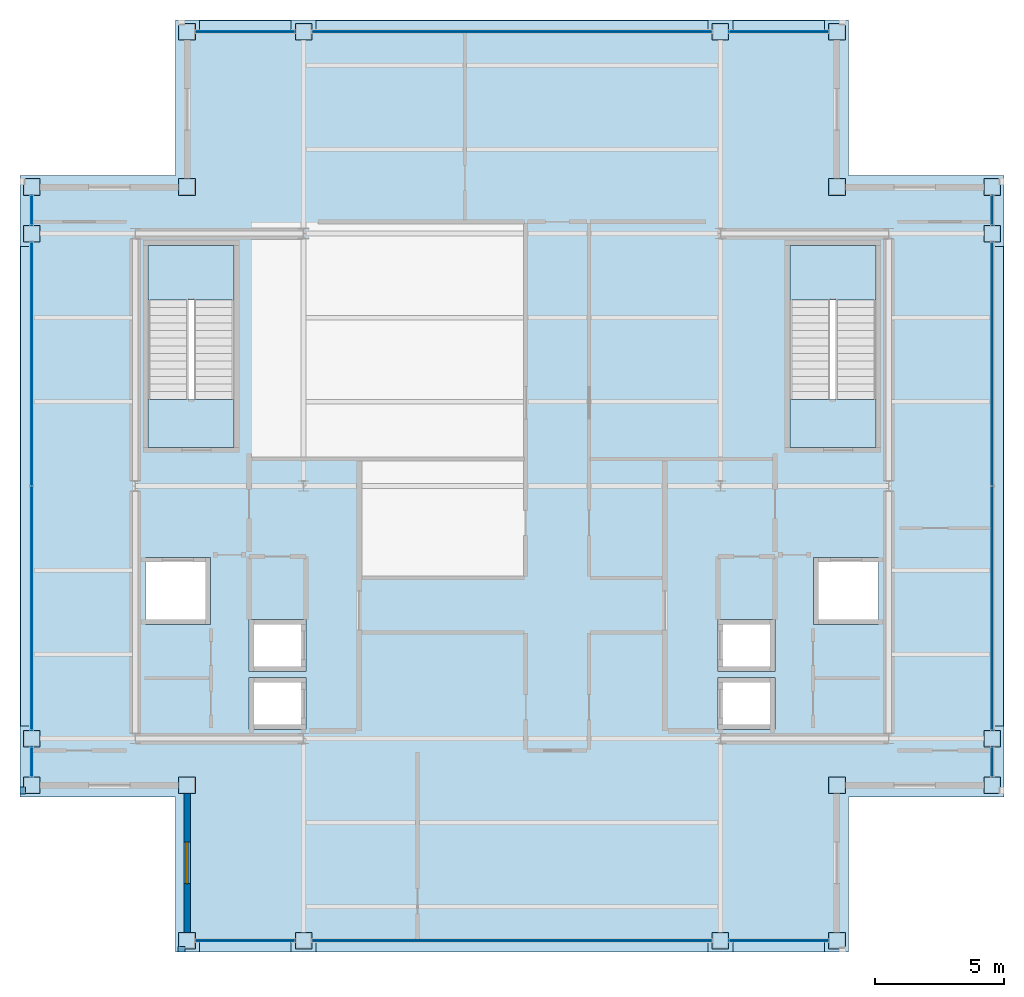
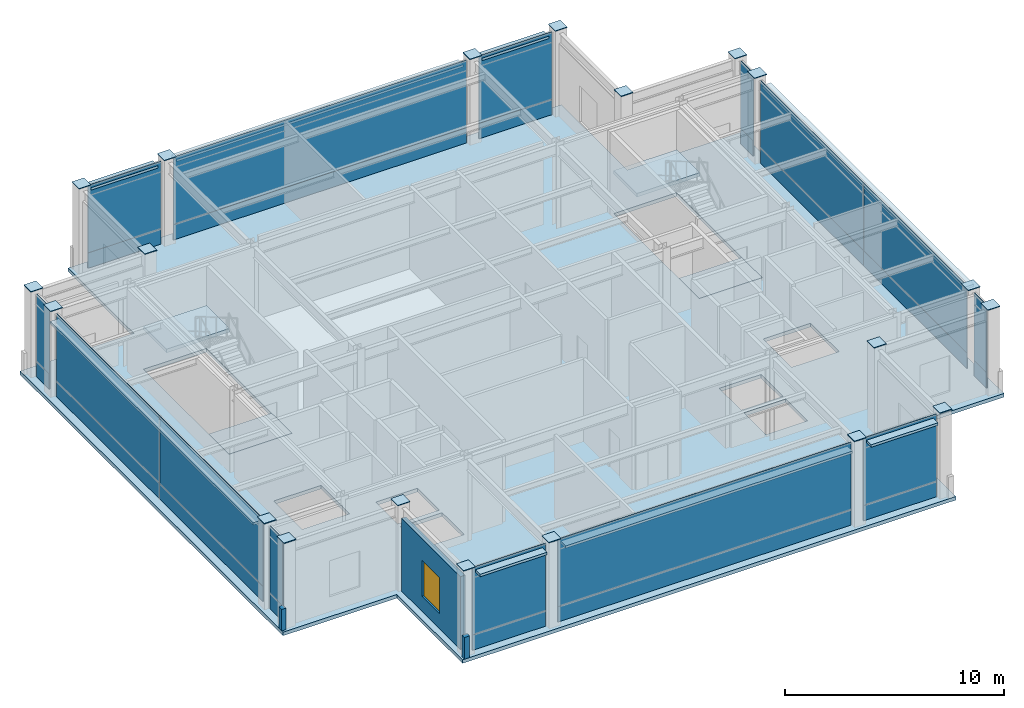
# One storey, part 16 of 21: 56 plates, 5 slabs, 3 walls, 1 window, 1 opening, 14 elements without a shape of their own.
"""IFC4 building model written with IfcOpenShell, lengths in metres."""

from ifc_helpers import new_model, si_unit, direction, frame, frame_2d, origin, origin_2d, place, context, subcontext, project, spatial, polyline, rectangle, outline, extrude, material, layer, layer_set, type_object, element, fill, aggregate, save


model = new_model("IFC4")

# Units and contexts
model_context = context("Model", 3, precision=1e-05, world=origin(), true_north=direction((0.0, 1.0)))
body_context = subcontext(model_context, "Body", "Model", "MODEL_VIEW")
ifc_project = project(units=[si_unit("LENGTHUNIT", "METRE"), si_unit("AREAUNIT", "SQUARE_METRE"), si_unit("VOLUMEUNIT", "CUBIC_METRE"), si_unit("PLANEANGLEUNIT", "RADIAN"), si_unit("MASSUNIT", "GRAM", prefix="KILO")], contexts=[model_context])

# Site, building, storey
site_placement = place(None, origin())
site = spatial("IfcSite", under=ifc_project, at=site_placement, CompositionType="ELEMENT")
building_placement = place(site_placement, origin())
building = spatial("IfcBuilding", under=site, at=building_placement, Name="Brelmoor Portico Tower", CompositionType="ELEMENT")
storey_placement = place(building_placement, frame((0.0, 0.0, 284.39990234375)))
storey = spatial("IfcBuildingStorey", under=building, at=storey_placement, Name="L75", CompositionType="ELEMENT", Elevation=284.39990234375)

# Plates
ifc_material_1 = material(Name="Steel Q355B", Category="steel")
ifc_layer_1 = layer(ifc_material_1, 0.044921875)
ifc_layer_set_1 = layer_set([ifc_layer_1], Name="Steel Q355B")
plate_type_1 = type_object("IfcPlateType", Name="PT-CAP-650", PredefinedType="SHEET", material=ifc_layer_set_1)
for number, where, z_axis, x_axis, name in (
    (1, (-12.550048828125, -17.550048828125, 4.800048828125), (0.0, 0.0, 1.0), (1.0, 0.0, 0.0), "L75 Perimeter Mega-Column PS01 Welded Head Cap Plate"),
    (2, (-8.050048828125, -17.550048828125, 4.800048828125), (0.0, 0.0, 1.0), (1.0, 0.0, 0.0), "L75 Perimeter Mega-Column PS02 Welded Head Cap Plate"),
    (3, (8.050048828125, -17.550048828125, 4.800048828125), (0.0, 0.0, 1.0), (1.0, 0.0, 0.0), "L75 Perimeter Mega-Column PS03 Welded Head Cap Plate"),
    (4, (12.550048828125, -17.550048828125, 4.800048828125), (0.0, 0.0, 1.0), (1.0, 0.0, 0.0), "L75 Perimeter Mega-Column PS04 Welded Head Cap Plate"),
    (5, (-12.550048828125, 17.550048828125, 4.800048828125), (0.0, 0.0, 1.0), (1.0, 0.0, 0.0), "L75 Perimeter Mega-Column PN01 Welded Head Cap Plate"),
    (6, (-8.050048828125, 17.550048828125, 4.800048828125), (0.0, 0.0, 1.0), (1.0, 0.0, 0.0), "L75 Perimeter Mega-Column PN02 Welded Head Cap Plate"),
    (7, (8.050048828125, 17.550048828125, 4.800048828125), (0.0, 0.0, 1.0), (1.0, 0.0, 0.0), "L75 Perimeter Mega-Column PN03 Welded Head Cap Plate"),
    (8, (12.550048828125, 17.550048828125, 4.800048828125), (0.0, 0.0, 1.0), (1.0, 0.0, 0.0), "L75 Perimeter Mega-Column PN04 Welded Head Cap Plate"),
    (9, (-18.550048828125, -11.550048828125, 4.800048828125), (0.0, 0.0, 1.0), (0.0, 1.0, 0.0), "L75 Perimeter Mega-Column PW01 Welded Head Cap Plate"),
    (10, (-18.550048828125, -9.75, 4.800048828125), (0.0, 0.0, 1.0), (0.0, 1.0, 0.0), "L75 Perimeter Mega-Column PW02 Welded Head Cap Plate"),
    (11, (-18.550048828125, 9.75, 4.800048828125), (0.0, 0.0, 1.0), (0.0, 1.0, 0.0), "L75 Perimeter Mega-Column PW03 Welded Head Cap Plate"),
    (12, (-18.550048828125, 11.550048828125, 4.800048828125), (0.0, 0.0, 1.0), (0.0, 1.0, 0.0), "L75 Perimeter Mega-Column PW04 Welded Head Cap Plate"),
    (13, (18.550048828125, -11.550048828125, 4.800048828125), (0.0, 0.0, 1.0), (0.0, 1.0, 0.0), "L75 Perimeter Mega-Column PE01 Welded Head Cap Plate"),
    (14, (18.550048828125, -9.75, 4.800048828125), (0.0, 0.0, 1.0), (0.0, 1.0, 0.0), "L75 Perimeter Mega-Column PE02 Welded Head Cap Plate"),
    (15, (18.550048828125, 9.75, 4.800048828125), (0.0, 0.0, 1.0), (0.0, 1.0, 0.0), "L75 Perimeter Mega-Column PE03 Welded Head Cap Plate"),
    (16, (18.550048828125, 11.550048828125, 4.800048828125), (0.0, 0.0, 1.0), (0.0, 1.0, 0.0), "L75 Perimeter Mega-Column PE04 Welded Head Cap Plate"),
    (17, (-12.550048828125, 11.550048828125, 4.800048828125), (0.0, 0.0, 1.0), (1.0, 0.0, 0.0), "L75 Perimeter Mega-Column PC-NW Welded Head Cap Plate"),
    (18, (12.550048828125, 11.550048828125, 4.800048828125), (0.0, 0.0, 1.0), (1.0, 0.0, 0.0), "L75 Perimeter Mega-Column PC-NE Welded Head Cap Plate"),
    (19, (12.550048828125, -11.550048828125, 4.800048828125), (0.0, 0.0, 1.0), (1.0, 0.0, 0.0), "L75 Perimeter Mega-Column PC-SE Welded Head Cap Plate"),
    (20, (-12.550048828125, -11.550048828125, 4.800048828125), (0.0, 0.0, 1.0), (1.0, 0.0, 0.0), "L75 Perimeter Mega-Column PC-SW Welded Head Cap Plate"),
):
    element("IfcPlate", number, at=place(storey_placement, frame(where, z_axis=z_axis, x_axis=x_axis)), inside=storey, type_object=plate_type_1, Name=name, PredefinedType="SHEET", context=body_context, shape_type="SweptSolid", body=[
        extrude(rectangle(XDim=0.639892578125, YDim=0.639892578125, at=origin_2d()), origin(), (0.0, 0.0, 1.0), 0.0400390625),
    ])

# Curtain wall, plate
ifc_material_2 = material(Name="Anodised Aluminium Alloy 6063-T6", Category="aluminium")
ifc_layer_2 = layer(ifc_material_2, 0.179931640625)
ifc_layer_set_2 = layer_set([ifc_layer_2], Name="Anodised Aluminium Alloy 6063-T6")
curtain_wall_type = type_object("IfcCurtainWallType", Name="CW-TOWER-Z4", PredefinedType="NOTDEFINED", material=ifc_layer_set_2)
curtain_wall_1_placement = place(storey_placement, origin())
curtain_wall_1 = element("IfcCurtainWall", 21, at=curtain_wall_1_placement, inside=storey, type_object=curtain_wall_type, Name="L75 Curtain Wall CW-L75-01-1", PredefinedType="NOTDEFINED")
ifc_material_3 = material(Name="Double-Silver Low-E Insulated Glazing", Category="glass")
ifc_layer_3 = layer(ifc_material_3, 0.035888671875)
ifc_layer_set_3 = layer_set([ifc_layer_3], Name="Double-Silver Low-E Insulated Glazing")
plate_type_2 = type_object("IfcPlateType", Name="PT-CW-GLASS", PredefinedType="CURTAIN_PANEL", material=ifc_layer_set_3)
plate_1_placement = place(storey_placement, frame((-10.300048828125, -17.550048828125, 0.85009765625), z_axis=(0.0, 0.0, 1.0), x_axis=(1.0, 0.0, 0.0)))
plate_1 = element("IfcPlate", 22, at=plate_1_placement, type_object=plate_type_2, Name="CW-L75-01-1 Vision Glass Panel 00", PredefinedType="CURTAIN_PANEL", context=body_context, shape_type="SweptSolid", body=[
    extrude(rectangle(XDim=3.85009765625, YDim=0.035888671875, at=origin_2d()), origin(), (0.0, 0.0, 1.0), 3.75),
])

curtain_wall_2_placement = place(storey_placement, origin())
curtain_wall_2 = element("IfcCurtainWall", 23, at=curtain_wall_2_placement, inside=storey, type_object=curtain_wall_type, Name="L75 Curtain Wall CW-L75-01-2", PredefinedType="NOTDEFINED")
plate_2_placement = place(storey_placement, frame((0.0, -17.550048828125, 0.85009765625), z_axis=(0.0, 0.0, 1.0), x_axis=(1.0, 0.0, 0.0)))
plate_2 = element("IfcPlate", 24, at=plate_2_placement, type_object=plate_type_2, Name="CW-L75-01-2 Vision Glass Panel 00", PredefinedType="CURTAIN_PANEL", context=body_context, shape_type="SweptSolid", body=[
    extrude(rectangle(XDim=15.449951171875, YDim=0.035888671875, at=origin_2d()), origin(), (0.0, 0.0, 1.0), 3.75),
])

curtain_wall_3_placement = place(storey_placement, origin())
curtain_wall_3 = element("IfcCurtainWall", 25, at=curtain_wall_3_placement, inside=storey, type_object=curtain_wall_type, Name="L75 Curtain Wall CW-L75-01-3", PredefinedType="NOTDEFINED")
plate_3_placement = place(storey_placement, frame((10.300048828125, -17.550048828125, 0.85009765625), z_axis=(0.0, 0.0, 1.0), x_axis=(1.0, 0.0, 0.0)))
plate_3 = element("IfcPlate", 26, at=plate_3_placement, type_object=plate_type_2, Name="CW-L75-01-3 Vision Glass Panel 00", PredefinedType="CURTAIN_PANEL", context=body_context, shape_type="SweptSolid", body=[
    extrude(rectangle(XDim=3.85009765625, YDim=0.035888671875, at=origin_2d()), origin(), (0.0, 0.0, 1.0), 3.75),
])

curtain_wall_4_placement = place(storey_placement, origin())
curtain_wall_4 = element("IfcCurtainWall", 27, at=curtain_wall_4_placement, inside=storey, type_object=curtain_wall_type, Name="L75 Curtain Wall CW-L75-02-1", PredefinedType="NOTDEFINED")
plate_4_placement = place(storey_placement, frame((-10.300048828125, 17.550048828125, 0.85009765625), z_axis=(0.0, 0.0, 1.0), x_axis=(1.0, 0.0, 0.0)))
plate_4 = element("IfcPlate", 28, at=plate_4_placement, type_object=plate_type_2, Name="CW-L75-02-1 Vision Glass Panel 00", PredefinedType="CURTAIN_PANEL", context=body_context, shape_type="SweptSolid", body=[
    extrude(rectangle(XDim=3.85009765625, YDim=0.035888671875, at=origin_2d()), origin(), (0.0, 0.0, 1.0), 3.75),
])

curtain_wall_5_placement = place(storey_placement, origin())
curtain_wall_5 = element("IfcCurtainWall", 29, at=curtain_wall_5_placement, inside=storey, type_object=curtain_wall_type, Name="L75 Curtain Wall CW-L75-02-2", PredefinedType="NOTDEFINED")
plate_5_placement = place(storey_placement, frame((0.0, 17.550048828125, 0.85009765625), z_axis=(0.0, 0.0, 1.0), x_axis=(1.0, 0.0, 0.0)))
plate_5 = element("IfcPlate", 30, at=plate_5_placement, type_object=plate_type_2, Name="CW-L75-02-2 Vision Glass Panel 00", PredefinedType="CURTAIN_PANEL", context=body_context, shape_type="SweptSolid", body=[
    extrude(rectangle(XDim=15.449951171875, YDim=0.035888671875, at=origin_2d()), origin(), (0.0, 0.0, 1.0), 3.75),
])

curtain_wall_6_placement = place(storey_placement, origin())
curtain_wall_6 = element("IfcCurtainWall", 31, at=curtain_wall_6_placement, inside=storey, type_object=curtain_wall_type, Name="L75 Curtain Wall CW-L75-02-3", PredefinedType="NOTDEFINED")
plate_6_placement = place(storey_placement, frame((10.300048828125, 17.550048828125, 0.85009765625), z_axis=(0.0, 0.0, 1.0), x_axis=(1.0, 0.0, 0.0)))
plate_6 = element("IfcPlate", 32, at=plate_6_placement, type_object=plate_type_2, Name="CW-L75-02-3 Vision Glass Panel 00", PredefinedType="CURTAIN_PANEL", context=body_context, shape_type="SweptSolid", body=[
    extrude(rectangle(XDim=3.85009765625, YDim=0.035888671875, at=origin_2d()), origin(), (0.0, 0.0, 1.0), 3.75),
])

curtain_wall_7_placement = place(storey_placement, origin())
curtain_wall_7 = element("IfcCurtainWall", 33, at=curtain_wall_7_placement, inside=storey, type_object=curtain_wall_type, Name="L75 Curtain Wall CW-L75-03-1", PredefinedType="NOTDEFINED")
plate_7_placement = place(storey_placement, frame((-18.550048828125, -10.64990234375, 0.85009765625), z_axis=(0.0, 0.0, 1.0), x_axis=(0.0, 1.0, 0.0)))
plate_7 = element("IfcPlate", 34, at=plate_7_placement, type_object=plate_type_2, Name="CW-L75-03-1 Vision Glass Panel 00", PredefinedType="CURTAIN_PANEL", context=body_context, shape_type="SweptSolid", body=[
    extrude(rectangle(XDim=1.14990234375, YDim=0.035888671875, at=origin_2d()), origin(), (0.0, 0.0, 1.0), 3.75),
])

# Curtain wall, plates
curtain_wall_8_placement = place(storey_placement, origin())
curtain_wall_8 = element("IfcCurtainWall", 35, at=curtain_wall_8_placement, inside=storey, type_object=curtain_wall_type, Name="L75 Curtain Wall CW-L75-03-2", PredefinedType="NOTDEFINED")
plate_8_placement = place(storey_placement, frame((-18.550048828125, -4.719970703125, 0.85009765625), z_axis=(0.0, 0.0, 1.0), x_axis=(0.0, 1.0, 0.0)))
plate_8 = element("IfcPlate", 36, at=plate_8_placement, type_object=plate_type_2, Name="CW-L75-03-2 Vision Glass Panel 00", PredefinedType="CURTAIN_PANEL", context=body_context, shape_type="SweptSolid", body=[
    extrude(rectangle(XDim=9.409912109375, YDim=0.035888671875, at=origin_2d()), origin(), (0.0, 0.0, 1.0), 3.75),
])
plate_9_placement = place(storey_placement, frame((-18.550048828125, 4.719970703125, 0.85009765625), z_axis=(0.0, 0.0, 1.0), x_axis=(0.0, 1.0, 0.0)))
plate_9 = element("IfcPlate", 37, at=plate_9_placement, type_object=plate_type_2, Name="CW-L75-03-2 Vision Glass Panel 01", PredefinedType="CURTAIN_PANEL", context=body_context, shape_type="SweptSolid", body=[
    extrude(rectangle(XDim=9.409912109375, YDim=0.035888671875, at=origin_2d()), origin(), (0.0, 0.0, 1.0), 3.75),
])

# Curtain wall, plate
curtain_wall_9_placement = place(storey_placement, origin())
curtain_wall_9 = element("IfcCurtainWall", 38, at=curtain_wall_9_placement, inside=storey, type_object=curtain_wall_type, Name="L75 Curtain Wall CW-L75-03-3", PredefinedType="NOTDEFINED")
plate_10_placement = place(storey_placement, frame((-18.550048828125, 10.64990234375, 0.85009765625), z_axis=(0.0, 0.0, 1.0), x_axis=(0.0, 1.0, 0.0)))
plate_10 = element("IfcPlate", 39, at=plate_10_placement, type_object=plate_type_2, Name="CW-L75-03-3 Vision Glass Panel 00", PredefinedType="CURTAIN_PANEL", context=body_context, shape_type="SweptSolid", body=[
    extrude(rectangle(XDim=1.14990234375, YDim=0.035888671875, at=origin_2d()), origin(), (0.0, 0.0, 1.0), 3.75),
])

curtain_wall_10_placement = place(storey_placement, origin())
curtain_wall_10 = element("IfcCurtainWall", 40, at=curtain_wall_10_placement, inside=storey, type_object=curtain_wall_type, Name="L75 Curtain Wall CW-L75-04-1", PredefinedType="NOTDEFINED")
plate_11_placement = place(storey_placement, frame((18.550048828125, -10.64990234375, 0.85009765625), z_axis=(0.0, 0.0, 1.0), x_axis=(0.0, 1.0, 0.0)))
plate_11 = element("IfcPlate", 41, at=plate_11_placement, type_object=plate_type_2, Name="CW-L75-04-1 Vision Glass Panel 00", PredefinedType="CURTAIN_PANEL", context=body_context, shape_type="SweptSolid", body=[
    extrude(rectangle(XDim=1.14990234375, YDim=0.035888671875, at=origin_2d()), origin(), (0.0, 0.0, 1.0), 3.75),
])

# Curtain wall, plates
curtain_wall_11_placement = place(storey_placement, origin())
curtain_wall_11 = element("IfcCurtainWall", 42, at=curtain_wall_11_placement, inside=storey, type_object=curtain_wall_type, Name="L75 Curtain Wall CW-L75-04-2", PredefinedType="NOTDEFINED")
plate_12_placement = place(storey_placement, frame((18.550048828125, -4.719970703125, 0.85009765625), z_axis=(0.0, 0.0, 1.0), x_axis=(0.0, 1.0, 0.0)))
plate_12 = element("IfcPlate", 43, at=plate_12_placement, type_object=plate_type_2, Name="CW-L75-04-2 Vision Glass Panel 00", PredefinedType="CURTAIN_PANEL", context=body_context, shape_type="SweptSolid", body=[
    extrude(rectangle(XDim=9.409912109375, YDim=0.035888671875, at=origin_2d()), origin(), (0.0, 0.0, 1.0), 3.75),
])
plate_13_placement = place(storey_placement, frame((18.550048828125, 4.719970703125, 0.85009765625), z_axis=(0.0, 0.0, 1.0), x_axis=(0.0, 1.0, 0.0)))
plate_13 = element("IfcPlate", 44, at=plate_13_placement, type_object=plate_type_2, Name="CW-L75-04-2 Vision Glass Panel 01", PredefinedType="CURTAIN_PANEL", context=body_context, shape_type="SweptSolid", body=[
    extrude(rectangle(XDim=9.409912109375, YDim=0.035888671875, at=origin_2d()), origin(), (0.0, 0.0, 1.0), 3.75),
])

# Curtain wall, plate
curtain_wall_12_placement = place(storey_placement, origin())
curtain_wall_12 = element("IfcCurtainWall", 45, at=curtain_wall_12_placement, inside=storey, type_object=curtain_wall_type, Name="L75 Curtain Wall CW-L75-04-3", PredefinedType="NOTDEFINED")
plate_14_placement = place(storey_placement, frame((18.550048828125, 10.64990234375, 0.85009765625), z_axis=(0.0, 0.0, 1.0), x_axis=(0.0, 1.0, 0.0)))
plate_14 = element("IfcPlate", 46, at=plate_14_placement, type_object=plate_type_2, Name="CW-L75-04-3 Vision Glass Panel 00", PredefinedType="CURTAIN_PANEL", context=body_context, shape_type="SweptSolid", body=[
    extrude(rectangle(XDim=1.14990234375, YDim=0.035888671875, at=origin_2d()), origin(), (0.0, 0.0, 1.0), 3.75),
])

# Plate
ifc_material_4 = material(Name="Pale Champagne Anodised Aluminium Panel", Category="aluminium")
ifc_layer_4 = layer(ifc_material_4, 0.050048828125)
ifc_layer_set_4 = layer_set([ifc_layer_4], Name="Pale Champagne Anodised Aluminium Panel")
plate_type_3 = type_object("IfcPlateType", Name="PT-CW-SPANDREL", PredefinedType="SHEET", material=ifc_layer_set_4)
plate_15_placement = place(storey_placement, frame((-10.300048828125, -17.550048828125, 0.0), z_axis=(0.0, 0.0, 1.0), x_axis=(1.0, 0.0, 0.0)))
plate_15 = element("IfcPlate", 47, at=plate_15_placement, type_object=plate_type_3, Name="CW-L75-01-1 Spandrel Panel 00", PredefinedType="SHEET", context=body_context, shape_type="SweptSolid", body=[
    extrude(rectangle(XDim=3.85009765625, YDim=0.050048828125, at=origin_2d()), origin(), (0.0, 0.0, 1.0), 0.85009765625),
])

aggregate(curtain_wall_1, [plate_15, plate_1])

plate_16_placement = place(storey_placement, frame((0.0, -17.550048828125, 0.0), z_axis=(0.0, 0.0, 1.0), x_axis=(1.0, 0.0, 0.0)))
plate_16 = element("IfcPlate", 48, at=plate_16_placement, type_object=plate_type_3, Name="CW-L75-01-2 Spandrel Panel 00", PredefinedType="SHEET", context=body_context, shape_type="SweptSolid", body=[
    extrude(rectangle(XDim=15.449951171875, YDim=0.050048828125, at=origin_2d()), origin(), (0.0, 0.0, 1.0), 0.85009765625),
])

aggregate(curtain_wall_2, [plate_16, plate_2])

plate_17_placement = place(storey_placement, frame((10.300048828125, -17.550048828125, 0.0), z_axis=(0.0, 0.0, 1.0), x_axis=(1.0, 0.0, 0.0)))
plate_17 = element("IfcPlate", 49, at=plate_17_placement, type_object=plate_type_3, Name="CW-L75-01-3 Spandrel Panel 00", PredefinedType="SHEET", context=body_context, shape_type="SweptSolid", body=[
    extrude(rectangle(XDim=3.85009765625, YDim=0.050048828125, at=origin_2d()), origin(), (0.0, 0.0, 1.0), 0.85009765625),
])

aggregate(curtain_wall_3, [plate_17, plate_3])

plate_18_placement = place(storey_placement, frame((-10.300048828125, 17.550048828125, 0.0), z_axis=(0.0, 0.0, 1.0), x_axis=(1.0, 0.0, 0.0)))
plate_18 = element("IfcPlate", 50, at=plate_18_placement, type_object=plate_type_3, Name="CW-L75-02-1 Spandrel Panel 00", PredefinedType="SHEET", context=body_context, shape_type="SweptSolid", body=[
    extrude(rectangle(XDim=3.85009765625, YDim=0.050048828125, at=origin_2d()), origin(), (0.0, 0.0, 1.0), 0.85009765625),
])

aggregate(curtain_wall_4, [plate_18, plate_4])

plate_19_placement = place(storey_placement, frame((0.0, 17.550048828125, 0.0), z_axis=(0.0, 0.0, 1.0), x_axis=(1.0, 0.0, 0.0)))
plate_19 = element("IfcPlate", 51, at=plate_19_placement, type_object=plate_type_3, Name="CW-L75-02-2 Spandrel Panel 00", PredefinedType="SHEET", context=body_context, shape_type="SweptSolid", body=[
    extrude(rectangle(XDim=15.449951171875, YDim=0.050048828125, at=origin_2d()), origin(), (0.0, 0.0, 1.0), 0.85009765625),
])

aggregate(curtain_wall_5, [plate_19, plate_5])

plate_20_placement = place(storey_placement, frame((10.300048828125, 17.550048828125, 0.0), z_axis=(0.0, 0.0, 1.0), x_axis=(1.0, 0.0, 0.0)))
plate_20 = element("IfcPlate", 52, at=plate_20_placement, type_object=plate_type_3, Name="CW-L75-02-3 Spandrel Panel 00", PredefinedType="SHEET", context=body_context, shape_type="SweptSolid", body=[
    extrude(rectangle(XDim=3.85009765625, YDim=0.050048828125, at=origin_2d()), origin(), (0.0, 0.0, 1.0), 0.85009765625),
])

aggregate(curtain_wall_6, [plate_20, plate_6])

plate_21_placement = place(storey_placement, frame((-18.550048828125, -10.64990234375, 0.0), z_axis=(0.0, 0.0, 1.0), x_axis=(0.0, 1.0, 0.0)))
plate_21 = element("IfcPlate", 53, at=plate_21_placement, type_object=plate_type_3, Name="CW-L75-03-1 Spandrel Panel 00", PredefinedType="SHEET", context=body_context, shape_type="SweptSolid", body=[
    extrude(rectangle(XDim=1.14990234375, YDim=0.050048828125, at=origin_2d()), origin(), (0.0, 0.0, 1.0), 0.85009765625),
])

aggregate(curtain_wall_7, [plate_21, plate_7])

plate_22_placement = place(storey_placement, frame((-18.550048828125, -4.719970703125, 0.0), z_axis=(0.0, 0.0, 1.0), x_axis=(0.0, 1.0, 0.0)))
plate_22 = element("IfcPlate", 54, at=plate_22_placement, type_object=plate_type_3, Name="CW-L75-03-2 Spandrel Panel 00", PredefinedType="SHEET", context=body_context, shape_type="SweptSolid", body=[
    extrude(rectangle(XDim=9.409912109375, YDim=0.050048828125, at=origin_2d()), origin(), (0.0, 0.0, 1.0), 0.85009765625),
])

plate_23_placement = place(storey_placement, frame((-18.550048828125, 4.719970703125, 0.0), z_axis=(0.0, 0.0, 1.0), x_axis=(0.0, 1.0, 0.0)))
plate_23 = element("IfcPlate", 55, at=plate_23_placement, type_object=plate_type_3, Name="CW-L75-03-2 Spandrel Panel 01", PredefinedType="SHEET", context=body_context, shape_type="SweptSolid", body=[
    extrude(rectangle(XDim=9.409912109375, YDim=0.050048828125, at=origin_2d()), origin(), (0.0, 0.0, 1.0), 0.85009765625),
])

aggregate(curtain_wall_8, [plate_22, plate_8, plate_23, plate_9])

plate_24_placement = place(storey_placement, frame((-18.550048828125, 10.64990234375, 0.0), z_axis=(0.0, 0.0, 1.0), x_axis=(0.0, 1.0, 0.0)))
plate_24 = element("IfcPlate", 56, at=plate_24_placement, type_object=plate_type_3, Name="CW-L75-03-3 Spandrel Panel 00", PredefinedType="SHEET", context=body_context, shape_type="SweptSolid", body=[
    extrude(rectangle(XDim=1.14990234375, YDim=0.050048828125, at=origin_2d()), origin(), (0.0, 0.0, 1.0), 0.85009765625),
])

aggregate(curtain_wall_9, [plate_24, plate_10])

plate_25_placement = place(storey_placement, frame((18.550048828125, -10.64990234375, 0.0), z_axis=(0.0, 0.0, 1.0), x_axis=(0.0, 1.0, 0.0)))
plate_25 = element("IfcPlate", 57, at=plate_25_placement, type_object=plate_type_3, Name="CW-L75-04-1 Spandrel Panel 00", PredefinedType="SHEET", context=body_context, shape_type="SweptSolid", body=[
    extrude(rectangle(XDim=1.14990234375, YDim=0.050048828125, at=origin_2d()), origin(), (0.0, 0.0, 1.0), 0.85009765625),
])

aggregate(curtain_wall_10, [plate_25, plate_11])

plate_26_placement = place(storey_placement, frame((18.550048828125, -4.719970703125, 0.0), z_axis=(0.0, 0.0, 1.0), x_axis=(0.0, 1.0, 0.0)))
plate_26 = element("IfcPlate", 58, at=plate_26_placement, type_object=plate_type_3, Name="CW-L75-04-2 Spandrel Panel 00", PredefinedType="SHEET", context=body_context, shape_type="SweptSolid", body=[
    extrude(rectangle(XDim=9.409912109375, YDim=0.050048828125, at=origin_2d()), origin(), (0.0, 0.0, 1.0), 0.85009765625),
])

plate_27_placement = place(storey_placement, frame((18.550048828125, 4.719970703125, 0.0), z_axis=(0.0, 0.0, 1.0), x_axis=(0.0, 1.0, 0.0)))
plate_27 = element("IfcPlate", 59, at=plate_27_placement, type_object=plate_type_3, Name="CW-L75-04-2 Spandrel Panel 01", PredefinedType="SHEET", context=body_context, shape_type="SweptSolid", body=[
    extrude(rectangle(XDim=9.409912109375, YDim=0.050048828125, at=origin_2d()), origin(), (0.0, 0.0, 1.0), 0.85009765625),
])

aggregate(curtain_wall_11, [plate_26, plate_12, plate_27, plate_13])

plate_28_placement = place(storey_placement, frame((18.550048828125, 10.64990234375, 0.0), z_axis=(0.0, 0.0, 1.0), x_axis=(0.0, 1.0, 0.0)))
plate_28 = element("IfcPlate", 60, at=plate_28_placement, type_object=plate_type_3, Name="CW-L75-04-3 Spandrel Panel 00", PredefinedType="SHEET", context=body_context, shape_type="SweptSolid", body=[
    extrude(rectangle(XDim=1.14990234375, YDim=0.050048828125, at=origin_2d()), origin(), (0.0, 0.0, 1.0), 0.85009765625),
])

aggregate(curtain_wall_12, [plate_28, plate_14])

# Plates
ifc_material_5 = material(Name="Pale Champagne Perforated Aluminium Solar Screen", Category="aluminium")
ifc_layer_5 = layer(ifc_material_5, 0.054931640625)
ifc_layer_set_5 = layer_set([ifc_layer_5], Name="Pale Champagne Perforated Aluminium Solar Screen")
plate_type_4 = type_object("IfcPlateType", Name="PT-SOLAR-LOUVRE", PredefinedType="SHEET", material=ifc_layer_set_5)
plate_29_placement = place(storey_placement, frame((-10.300048828125, -17.760009765625, 4.2900390625), z_axis=(0.0, 0.0, 1.0), x_axis=(1.0, 0.0, 0.0)))
element("IfcPlate", 61, at=plate_29_placement, inside=storey, type_object=plate_type_4, Name="CW-L75-01-1 Caribbean Brise-Soleil Solar Screen", PredefinedType="SHEET", context=body_context, shape_type="SweptSolid", body=[
    extrude(rectangle(XDim=3.52001953125, YDim=0.4599609375, at=origin_2d()), origin(), (0.0, 0.0, 1.0), 0.139892578125),
])
plate_30_placement = place(storey_placement, frame((0.0, -17.760009765625, 4.2900390625), z_axis=(0.0, 0.0, 1.0), x_axis=(1.0, 0.0, 0.0)))
element("IfcPlate", 62, at=plate_30_placement, inside=storey, type_object=plate_type_4, Name="CW-L75-01-2 Caribbean Brise-Soleil Solar Screen", PredefinedType="SHEET", context=body_context, shape_type="SweptSolid", body=[
    extrude(rectangle(XDim=15.1201171875, YDim=0.4599609375, at=origin_2d()), origin(), (0.0, 0.0, 1.0), 0.139892578125),
])
for number, where, z_axis, x_axis, name in (
    (63, (10.300048828125, -17.760009765625, 4.2900390625), (0.0, 0.0, 1.0), (1.0, 0.0, 0.0), "CW-L75-01-3 Caribbean Brise-Soleil Solar Screen"),
    (64, (-10.300048828125, 17.760009765625, 4.2900390625), (0.0, 0.0, 1.0), (1.0, 0.0, 0.0), "CW-L75-02-1 Caribbean Brise-Soleil Solar Screen"),
):
    element("IfcPlate", number, at=place(storey_placement, frame(where, z_axis=z_axis, x_axis=x_axis)), inside=storey, type_object=plate_type_4, Name=name, PredefinedType="SHEET", context=body_context, shape_type="SweptSolid", body=[
        extrude(rectangle(XDim=3.52001953125, YDim=0.4599609375, at=origin_2d()), origin(), (0.0, 0.0, 1.0), 0.139892578125),
    ])
plate_31_placement = place(storey_placement, frame((0.0, 17.760009765625, 4.2900390625), z_axis=(0.0, 0.0, 1.0), x_axis=(1.0, 0.0, 0.0)))
element("IfcPlate", 65, at=plate_31_placement, inside=storey, type_object=plate_type_4, Name="CW-L75-02-2 Caribbean Brise-Soleil Solar Screen", PredefinedType="SHEET", context=body_context, shape_type="SweptSolid", body=[
    extrude(rectangle(XDim=15.1201171875, YDim=0.4599609375, at=origin_2d()), origin(), (0.0, 0.0, 1.0), 0.139892578125),
])
plate_32_placement = place(storey_placement, frame((10.300048828125, 17.760009765625, 4.2900390625), z_axis=(0.0, 0.0, 1.0), x_axis=(1.0, 0.0, 0.0)))
element("IfcPlate", 66, at=plate_32_placement, inside=storey, type_object=plate_type_4, Name="CW-L75-02-3 Caribbean Brise-Soleil Solar Screen", PredefinedType="SHEET", context=body_context, shape_type="SweptSolid", body=[
    extrude(rectangle(XDim=3.52001953125, YDim=0.4599609375, at=origin_2d()), origin(), (0.0, 0.0, 1.0), 0.139892578125),
])
for number, where, z_axis, x_axis, name in (
    (67, (-18.760009765625, 0.0, 4.2900390625), (0.0, 0.0, 1.0), (0.0, 1.0, 0.0), "CW-L75-03-2 Caribbean Brise-Soleil Solar Screen"),
    (68, (18.760009765625, 0.0, 4.2900390625), (0.0, 0.0, 1.0), (0.0, 1.0, 0.0), "CW-L75-04-2 Caribbean Brise-Soleil Solar Screen"),
):
    element("IfcPlate", number, at=place(storey_placement, frame(where, z_axis=z_axis, x_axis=x_axis)), inside=storey, type_object=plate_type_4, Name=name, PredefinedType="SHEET", context=body_context, shape_type="SweptSolid", body=[
        extrude(rectangle(XDim=18.52001953125, YDim=0.4599609375, at=origin_2d()), origin(), (0.0, 0.0, 1.0), 0.139892578125),
    ])

# Slab
ifc_material_6 = material(Name="Concrete C40", Category="concrete")
ifc_layer_6 = layer(ifc_material_6, 0.199951171875)
ifc_layer_set_6 = layer_set([ifc_layer_6], Name="Concrete C40")
slab_type_1 = type_object("IfcSlabType", Name="SL-FLOOR-200", PredefinedType="FLOOR", material=ifc_layer_set_6)
slab_1_placement = place(storey_placement, frame((0.0, 0.0, -0.199951171875)))
element("IfcSlab", 69, at=slab_1_placement, inside=storey, type_object=slab_type_1, Name="L75 Main Structural Floor Slab", PredefinedType="FLOOR", context=body_context, shape_type="SweptSolid", body=[
    extrude(outline(polyline([(-13.0, -18.0), (13.0, -18.0), (13.0, -12.0), (19.0, -12.0), (19.0, 12.0), (13.0, 12.0), (13.0, 18.0), (-13.0, 18.0), (-13.0, 12.0), (-19.0, 12.0), (-19.0, -12.0), (-13.0, -12.0), (-13.0, -18.0)]), holes=[polyline([(-10.72998046875, 1.5), (-10.72998046875, 9.300048828125), (-14.050048828125, 9.300048828125), (-14.050048828125, 1.5), (-10.72998046875, 1.5)]), polyline([(14.050048828125, 1.5), (14.050048828125, 9.300048828125), (10.72998046875, 9.300048828125), (10.72998046875, 1.5), (14.050048828125, 1.5)]), polyline([(-10.14990234375, -9.39990234375), (-7.949951171875, -9.39990234375), (-7.949951171875, -7.39990234375), (-10.14990234375, -7.39990234375), (-10.14990234375, -9.39990234375)]), polyline([(-10.14990234375, -7.14990234375), (-7.949951171875, -7.14990234375), (-7.949951171875, -5.14990234375), (-10.14990234375, -5.14990234375), (-10.14990234375, -7.14990234375)]), polyline([(7.949951171875, -9.39990234375), (10.14990234375, -9.39990234375), (10.14990234375, -7.39990234375), (7.949951171875, -7.39990234375), (7.949951171875, -9.39990234375)]), polyline([(7.949951171875, -7.14990234375), (10.14990234375, -7.14990234375), (10.14990234375, -5.14990234375), (7.949951171875, -5.14990234375), (7.949951171875, -7.14990234375)]), polyline([(-14.14990234375, -5.35009765625), (-11.64990234375, -5.35009765625), (-11.64990234375, -2.75), (-14.14990234375, -2.75), (-14.14990234375, -5.35009765625)]), polyline([(11.64990234375, -5.35009765625), (14.14990234375, -5.35009765625), (14.14990234375, -2.75), (11.64990234375, -2.75), (11.64990234375, -5.35009765625)])]), origin(), (0.0, 0.0, 1.0), 0.199951171875),
])

# Stair, slab
stair_type_1 = type_object("IfcStairType", Name="ST-CORE-W", PredefinedType="HALF_TURN_STAIR", material=ifc_material_6)
stair_1_placement = place(storey_placement, origin())
stair_1 = element("IfcStair", 70, at=stair_1_placement, inside=storey, type_object=stair_type_1, Name="L75 Protected Core Exit Stair ST-W", PredefinedType="HALF_TURN_STAIR")
ifc_layer_7 = layer(ifc_material_6, 0.179931640625)
ifc_layer_set_7 = layer_set([ifc_layer_7], Name="Concrete C40")
slab_type_2 = type_object("IfcSlabType", Name="SL-LANDING-180", PredefinedType="LANDING", material=ifc_layer_set_7)
slab_2_placement = place(storey_placement, frame((0.0, 0.0, 2.2001953125)))
slab_2 = element("IfcSlab", 71, at=slab_2_placement, type_object=slab_type_2, Name="ST-W landing 1", PredefinedType="LANDING", context=body_context, shape_type="SweptSolid", body=[
    extrude(outline(polyline([(-10.72998046875, 7.18505859375), (-10.72998046875, 9.300048828125), (-14.050048828125, 9.300048828125), (-14.050048828125, 7.18505859375), (-10.72998046875, 7.18505859375)])), origin(), (0.0, 0.0, 1.0), 0.199951171875),
])
aggregate(stair_1, [slab_2])

stair_type_2 = type_object("IfcStairType", Name="ST-CORE-E", PredefinedType="HALF_TURN_STAIR", material=ifc_material_6)
stair_2_placement = place(storey_placement, origin())
stair_2 = element("IfcStair", 72, at=stair_2_placement, inside=storey, type_object=stair_type_2, Name="L75 Protected Core Exit Stair ST-E", PredefinedType="HALF_TURN_STAIR")
slab_3_placement = place(storey_placement, frame((0.0, 0.0, 2.2001953125)))
slab_3 = element("IfcSlab", 73, at=slab_3_placement, type_object=slab_type_2, Name="ST-E landing 1", PredefinedType="LANDING", context=body_context, shape_type="SweptSolid", body=[
    extrude(outline(polyline([(14.050048828125, 7.18505859375), (14.050048828125, 9.300048828125), (10.72998046875, 9.300048828125), (10.72998046875, 7.18505859375), (14.050048828125, 7.18505859375)])), origin(), (0.0, 0.0, 1.0), 0.199951171875),
])
aggregate(stair_2, [slab_3])

# Slabs
ifc_layer_8 = layer(ifc_material_6, 0.199951171875)
ifc_layer_set_8 = layer_set([ifc_layer_8], Name="Concrete C40")
slab_type_3 = type_object("IfcSlabType", Name="SL-STAIR-FL200", PredefinedType="LANDING", material=ifc_layer_set_8)
slab_4_placement = place(storey_placement, frame((0.0, 0.0, -0.199951171875)))
element("IfcSlab", 74, at=slab_4_placement, inside=storey, type_object=slab_type_3, Name="L75 ST-W Structural Floor Landing Slab", PredefinedType="LANDING", context=body_context, shape_type="SweptSolid", body=[
    extrude(outline(polyline([(-10.72998046875, 1.5), (-10.72998046875, 3.35009765625), (-14.050048828125, 3.35009765625), (-14.050048828125, 1.5), (-10.72998046875, 1.5)])), origin(), (0.0, 0.0, 1.0), 0.199951171875),
])
slab_5_placement = place(storey_placement, frame((0.0, 0.0, -0.199951171875)))
element("IfcSlab", 75, at=slab_5_placement, inside=storey, type_object=slab_type_3, Name="L75 ST-E Structural Floor Landing Slab", PredefinedType="LANDING", context=body_context, shape_type="SweptSolid", body=[
    extrude(outline(polyline([(14.050048828125, 1.5), (14.050048828125, 3.35009765625), (10.72998046875, 3.35009765625), (10.72998046875, 1.5), (14.050048828125, 1.5)])), origin(), (0.0, 0.0, 1.0), 0.199951171875),
])

# Wall, opening, window
ifc_material_7 = material(Name="Precast Concrete C40 Insulated Facade Wall", Category="concrete")
ifc_layer_9 = layer(ifc_material_7, 0.25)
ifc_layer_set_9 = layer_set([ifc_layer_9], Name="Precast Concrete C40 Insulated Facade Wall")
wall_type_1 = type_object("IfcWallType", Name="WL-EXT-250", PredefinedType="STANDARD", material=ifc_layer_set_9)
wall_placement = place(storey_placement, frame((-12.550048828125, -17.239990234375, 0.0), z_axis=(0.0, 0.0, 1.0), x_axis=(0.0, 1.0, 0.0)))
wall = element("IfcWall", 76, at=wall_placement, inside=storey, type_object=wall_type_1, Name="L75 Corner Notch Facade Wall NSWV1", PredefinedType="STANDARD", context=body_context, shape_type="SweptSolid", body=[
    extrude(rectangle(XDim=5.3798828125, YDim=0.25, at=frame_2d((2.68994140625, 0.0))), origin(), (0.0, 0.0, 1.0), 4.050048828125),
])
opening_placement = place(wall_placement, frame((1.889892578125, 0.0, 0.85009765625)))
opening = element("IfcOpeningElement", 77, at=opening_placement, cuts=wall, Name="Opening W-01", PredefinedType="OPENING", context=body_context, shape_type="SweptSolid", body=[
    extrude(rectangle(XDim=1.60009765625, YDim=2.0, at=frame_2d((0.800048828125, 1.0))), frame((0.0, 0.135009765625, 0.0), z_axis=(0.0, -1.0, 0.0), x_axis=(1.0, 0.0, 0.0)), (0.0, 0.0, 1.0), 0.27001953125),
])
ifc_material_8 = material(Name="Thermally Broken Aluminium Low-E Window", Category="aluminium")
window_type = type_object("IfcWindowType", Name="WN-NOTCH-1600x2000", PartitioningType="SINGLE_PANEL", PredefinedType="WINDOW", material=ifc_material_8)
window_placement = place(opening_placement, origin())
window = element("IfcWindow", 78, at=window_placement, inside=storey, type_object=window_type, Name="L75 Corner Notch Window NSWV1", OverallHeight=2.0, OverallWidth=1.60009765625, PartitioningType="SINGLE_PANEL", PredefinedType="WINDOW", context=body_context, shape_type="SweptSolid", body=[
    extrude(rectangle(XDim=1.60009765625, YDim=2.0, at=frame_2d((0.800048828125, 1.0))), frame((0.0, 0.030029296875, 0.0), z_axis=(0.0, -1.0, 0.0), x_axis=(1.0, 0.0, 0.0)), (0.0, 0.0, 1.0), 0.06005859375),
])
fill(opening, window)

# Walls
ifc_material_9 = material(Name="Concrete C40 Parapet Upstand", Category="concrete")
ifc_layer_10 = layer(ifc_material_9, 0.219970703125)
ifc_layer_set_10 = layer_set([ifc_layer_10], Name="Concrete C40 Parapet Upstand")
wall_type_2 = type_object("IfcWallType", Name="WL-PARAPET-220", PredefinedType="PARAPET", material=ifc_layer_set_10)
for number, where, z_axis, x_axis, name in (
    (79, (-12.889892578125, -17.889892578125, 0.0), (0.0, 0.0, 1.0), (1.0, 0.0, 0.0), "L75 Chamfer Vertex Parapet Pier SW1"),
    (80, (-18.889892578125, -11.889892578125, 0.0), (0.0, 0.0, 1.0), (0.0, 1.0, 0.0), "L75 Chamfer Vertex Parapet Pier SW2"),
):
    element("IfcWall", number, at=place(storey_placement, frame(where, z_axis=z_axis, x_axis=x_axis)), inside=storey, type_object=wall_type_2, Name=name, PredefinedType="PARAPET", context=body_context, shape_type="SweptSolid", body=[
        extrude(rectangle(XDim=0.269775390625, YDim=0.219970703125, at=frame_2d((0.134765625, 0.0))), origin(), (0.0, 0.0, 1.0), 1.2001953125),
    ])

save(model, "model.ifc")
